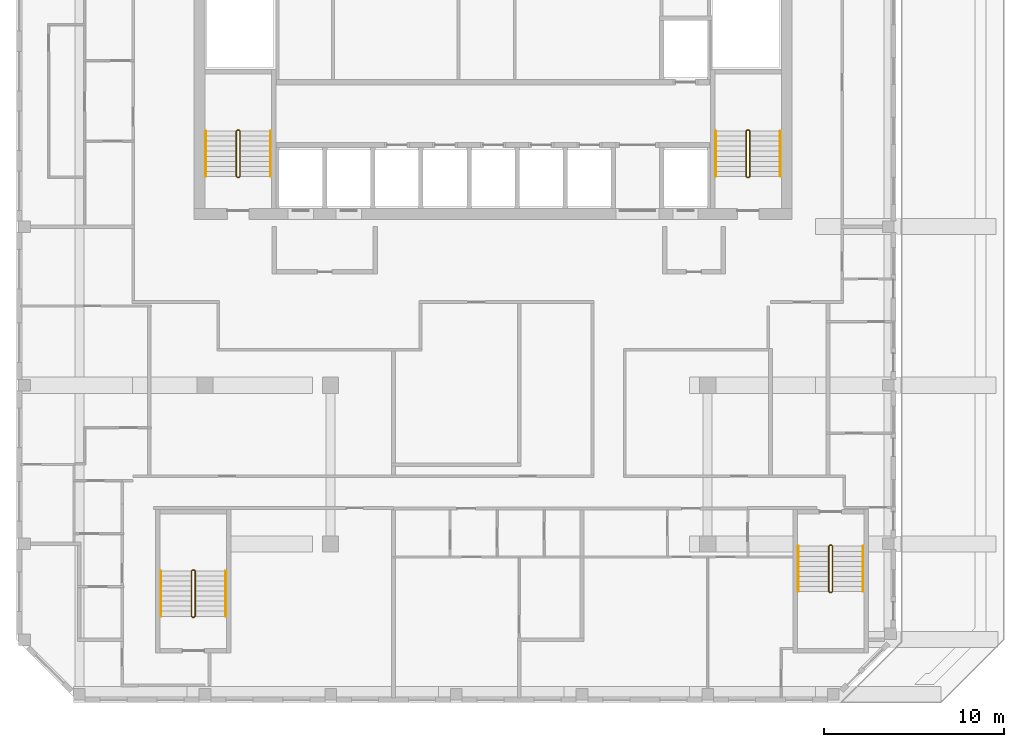
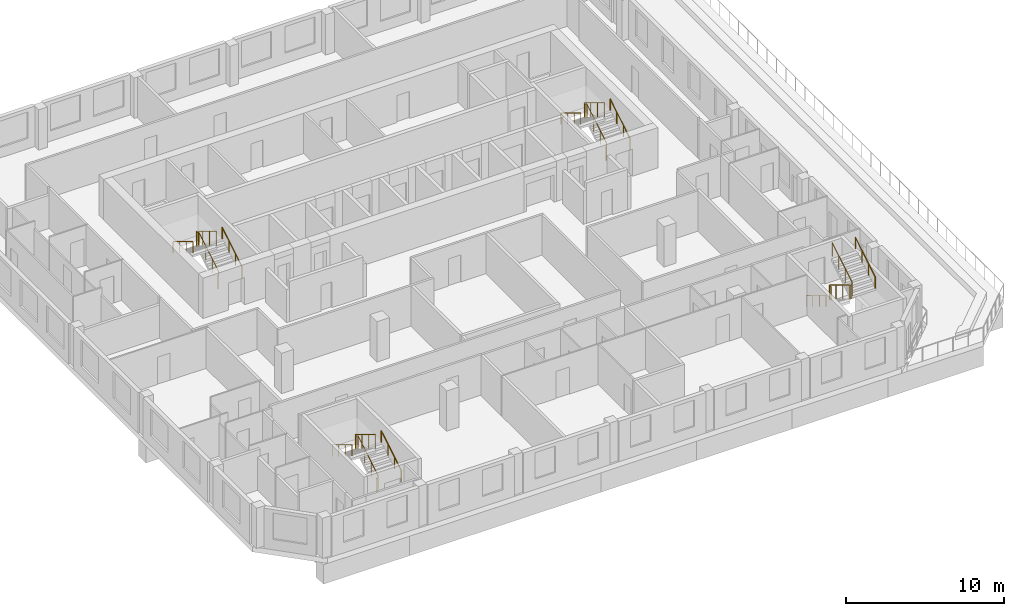
# One storey, part 12 of 13: 12 railings.
"""IFC4 building model written with IfcOpenShell, lengths in metres."""

from ifc_helpers import new_model, si_unit, direction, frame, origin, origin_2d, place, context, subcontext, project, spatial, circle, extrude, material, type_object, element, save


model = new_model("IFC4")

# Units and contexts
model_context = context("Model", 3, precision=1e-05, world=origin(), true_north=direction((0.0, 1.0)))
body_context = subcontext(model_context, "Body", "Model", "MODEL_VIEW")
ifc_project = project(units=[si_unit("LENGTHUNIT", "METRE"), si_unit("AREAUNIT", "SQUARE_METRE"), si_unit("VOLUMEUNIT", "CUBIC_METRE"), si_unit("PLANEANGLEUNIT", "RADIAN"), si_unit("MASSUNIT", "GRAM", prefix="KILO")], contexts=[model_context])

# Site, building, storey
site_placement = place(None, origin())
site = spatial("IfcSite", under=ifc_project, at=site_placement, CompositionType="ELEMENT")
building_placement = place(site_placement, origin())
building = spatial("IfcBuilding", under=site, at=building_placement, Name="Kilnfold Tower and Market Hall", CompositionType="ELEMENT")
storey_placement = place(building_placement, frame((0.0, 0.0, 267.0)))
storey = spatial("IfcBuildingStorey", under=building, at=storey_placement, Name="L65", CompositionType="ELEMENT", Elevation=267.0)

# Railings
ifc_material_1 = material(Name="Stainless steel 316", Category="steel")
railing_type_1 = type_object("IfcRailingType", Name="CORE STAIR GUARD 1100", PredefinedType="GUARDRAIL", material=ifc_material_1)
railing_1_placement = place(storey_placement, frame((-13.199951171875, 10.75, 0.0)))
element("IfcRailing", 1, at=railing_1_placement, inside=storey, type_object=railing_type_1, Name="L65 ST1 stair guard 1", PredefinedType="GUARDRAIL", context=body_context, shape_type="SweptSolid", body=[
    extrude(circle(Radius=0.02392578125, at=origin_2d()), frame((0.0, 0.0, 1.076171875), z_axis=(1.0, 0.0, 0.0), x_axis=(0.0, 1.0, 0.0)), (0.0, 0.0, 1.0), 0.099853515625),
    extrude(circle(Radius=0.02392578125, at=origin_2d()), frame((0.099853515625, 0.0, 1.076171875), z_axis=(0.271895245746, 0.271895245746, 0.923117517265), x_axis=(-0.707106781187, 0.707106781187, 0.0)), (0.0, 0.0, 1.0), 0.18408203125),
    extrude(circle(Radius=0.02392578125, at=origin_2d()), frame((0.14990234375, 0.050048828125, 1.24609375), z_axis=(0.0, 0.85478489116, 0.518982456201), x_axis=(-1.0, 0.0, 0.0)), (0.0, 0.0, 1.0), 2.9482421875),
    extrude(circle(Radius=0.02392578125, at=origin_2d()), frame((0.14990234375, 2.570068359375, 2.77587890625), z_axis=(-0.707106781187, 0.707106781187, 0.0), x_axis=(-0.707106781187, -0.707106781187, 0.0)), (0.0, 0.0, 1.0), 0.07080078125),
    extrude(circle(Radius=0.02392578125, at=origin_2d()), frame((0.099853515625, 2.6201171875, 2.77587890625), z_axis=(-1.0, 0.0, 0.0), x_axis=(0.0, -1.0, 0.0)), (0.0, 0.0, 1.0), 0.099853515625),
    extrude(circle(Radius=0.02392578125, at=origin_2d()), frame((0.0, 2.6201171875, 2.77587890625), z_axis=(-0.271562723297, -0.271562723297, 0.923313259209), x_axis=(0.707106781187, -0.707106781187, 0.0)), (0.0, 0.0, 1.0), 0.184326171875),
    extrude(circle(Radius=0.02392578125, at=origin_2d()), frame((-0.050048828125, 2.570068359375, 2.9462890625), z_axis=(0.0, -0.854821627497, 0.518921945155), x_axis=(1.0, 0.0, 0.0)), (0.0, 0.0, 1.0), 2.947998046875),
    extrude(circle(Radius=0.02099609375, at=origin_2d()), origin(), (0.0, 0.0, 1.0), 1.052001953125),
    extrude(circle(Radius=0.02099609375, at=origin_2d()), frame((0.099853515625, 0.0, 0.0)), (0.0, 0.0, 1.0), 1.052001953125),
    extrude(circle(Radius=0.02099609375, at=origin_2d()), frame((0.14990234375, 0.050048828125, 0.169921875)), (0.0, 0.0, 1.0), 1.052001953125),
    extrude(circle(Radius=0.02099609375, at=origin_2d()), frame((0.14990234375, 0.89013671875, 0.679931640625)), (0.0, 0.0, 1.0), 1.052001953125),
    extrude(circle(Radius=0.02099609375, at=origin_2d()), frame((0.14990234375, 1.72998046875, 1.18994140625)), (0.0, 0.0, 1.0), 1.052001953125),
    extrude(circle(Radius=0.02099609375, at=origin_2d()), frame((0.14990234375, 2.570068359375, 1.699951171875)), (0.0, 0.0, 1.0), 1.052001953125),
    extrude(circle(Radius=0.02099609375, at=origin_2d()), frame((0.099853515625, 2.6201171875, 1.699951171875)), (0.0, 0.0, 1.0), 1.052001953125),
    extrude(circle(Radius=0.02099609375, at=origin_2d()), frame((0.0, 2.6201171875, 1.699951171875)), (0.0, 0.0, 1.0), 1.052001953125),
    extrude(circle(Radius=0.02099609375, at=origin_2d()), frame((-0.050048828125, 2.570068359375, 1.8701171875)), (0.0, 0.0, 1.0), 1.052001953125),
    extrude(circle(Radius=0.02099609375, at=origin_2d()), frame((-0.050048828125, 1.72998046875, 2.380126953125)), (0.0, 0.0, 1.0), 1.052001953125),
    extrude(circle(Radius=0.02099609375, at=origin_2d()), frame((-0.050048828125, 0.89013671875, 2.889892578125)), (0.0, 0.0, 1.0), 1.052001953125),
    extrude(circle(Radius=0.02099609375, at=origin_2d()), frame((-0.050048828125, 0.050048828125, 3.39990234375)), (0.0, 0.0, 1.0), 1.052001953125),
])
railing_2_placement = place(storey_placement, frame((15.199951171875, 10.75, 0.0)))
element("IfcRailing", 2, at=railing_2_placement, inside=storey, type_object=railing_type_1, Name="L65 ST2 stair guard 1", PredefinedType="GUARDRAIL", context=body_context, shape_type="SweptSolid", body=[
    extrude(circle(Radius=0.02392578125, at=origin_2d()), frame((0.0, 0.0, 1.076171875), z_axis=(1.0, 0.0, 0.0), x_axis=(0.0, 1.0, 0.0)), (0.0, 0.0, 1.0), 0.10009765625),
    extrude(circle(Radius=0.02392578125, at=origin_2d()), frame((0.10009765625, 0.0, 1.076171875), z_axis=(0.271895245746, 0.271895245746, 0.923117517265), x_axis=(-0.707106781187, 0.707106781187, 0.0)), (0.0, 0.0, 1.0), 0.18408203125),
    extrude(circle(Radius=0.02392578125, at=origin_2d()), frame((0.150146484375, 0.050048828125, 1.24609375), z_axis=(0.0, 0.85478489116, 0.518982456201), x_axis=(-1.0, 0.0, 0.0)), (0.0, 0.0, 1.0), 2.9482421875),
    extrude(circle(Radius=0.02392578125, at=origin_2d()), frame((0.150146484375, 2.570068359375, 2.77587890625), z_axis=(-0.707106781187, 0.707106781187, 0.0), x_axis=(-0.707106781187, -0.707106781187, 0.0)), (0.0, 0.0, 1.0), 0.07080078125),
    extrude(circle(Radius=0.02392578125, at=origin_2d()), frame((0.10009765625, 2.6201171875, 2.77587890625), z_axis=(-1.0, 0.0, 0.0), x_axis=(0.0, -1.0, 0.0)), (0.0, 0.0, 1.0), 0.10009765625),
    extrude(circle(Radius=0.02392578125, at=origin_2d()), frame((0.0, 2.6201171875, 2.77587890625), z_axis=(-0.271562723297, -0.271562723297, 0.923313259209), x_axis=(0.707106781187, -0.707106781187, 0.0)), (0.0, 0.0, 1.0), 0.184326171875),
    extrude(circle(Radius=0.02392578125, at=origin_2d()), frame((-0.050048828125, 2.570068359375, 2.9462890625), z_axis=(0.0, -0.854821627497, 0.518921945155), x_axis=(1.0, 0.0, 0.0)), (0.0, 0.0, 1.0), 2.947998046875),
    extrude(circle(Radius=0.02099609375, at=origin_2d()), origin(), (0.0, 0.0, 1.0), 1.052001953125),
    extrude(circle(Radius=0.02099609375, at=origin_2d()), frame((0.10009765625, 0.0, 0.0)), (0.0, 0.0, 1.0), 1.052001953125),
    extrude(circle(Radius=0.02099609375, at=origin_2d()), frame((0.150146484375, 0.050048828125, 0.169921875)), (0.0, 0.0, 1.0), 1.052001953125),
    extrude(circle(Radius=0.02099609375, at=origin_2d()), frame((0.150146484375, 0.89013671875, 0.679931640625)), (0.0, 0.0, 1.0), 1.052001953125),
    extrude(circle(Radius=0.02099609375, at=origin_2d()), frame((0.150146484375, 1.72998046875, 1.18994140625)), (0.0, 0.0, 1.0), 1.052001953125),
    extrude(circle(Radius=0.02099609375, at=origin_2d()), frame((0.150146484375, 2.570068359375, 1.699951171875)), (0.0, 0.0, 1.0), 1.052001953125),
    extrude(circle(Radius=0.02099609375, at=origin_2d()), frame((0.10009765625, 2.6201171875, 1.699951171875)), (0.0, 0.0, 1.0), 1.052001953125),
    extrude(circle(Radius=0.02099609375, at=origin_2d()), frame((0.0, 2.6201171875, 1.699951171875)), (0.0, 0.0, 1.0), 1.052001953125),
    extrude(circle(Radius=0.02099609375, at=origin_2d()), frame((-0.050048828125, 2.570068359375, 1.8701171875)), (0.0, 0.0, 1.0), 1.052001953125),
    extrude(circle(Radius=0.02099609375, at=origin_2d()), frame((-0.050048828125, 1.72998046875, 2.380126953125)), (0.0, 0.0, 1.0), 1.052001953125),
    extrude(circle(Radius=0.02099609375, at=origin_2d()), frame((-0.050048828125, 0.89013671875, 2.889892578125)), (0.0, 0.0, 1.0), 1.052001953125),
    extrude(circle(Radius=0.02099609375, at=origin_2d()), frame((-0.050048828125, 0.050048828125, 3.39990234375)), (0.0, 0.0, 1.0), 1.052001953125),
])
railing_3_placement = place(storey_placement, frame((-15.699951171875, -13.75, 0.0)))
element("IfcRailing", 3, at=railing_3_placement, inside=storey, type_object=railing_type_1, Name="L65 ST3 stair guard 1", PredefinedType="GUARDRAIL", context=body_context, shape_type="SweptSolid", body=[
    extrude(circle(Radius=0.02392578125, at=origin_2d()), frame((0.0, 0.0, 1.076171875), z_axis=(1.0, 0.0, 0.0), x_axis=(0.0, 1.0, 0.0)), (0.0, 0.0, 1.0), 0.099853515625),
    extrude(circle(Radius=0.02392578125, at=origin_2d()), frame((0.099853515625, 0.0, 1.076171875), z_axis=(0.271895245746, 0.271895245746, 0.923117517265), x_axis=(-0.707106781187, 0.707106781187, 0.0)), (0.0, 0.0, 1.0), 0.18408203125),
    extrude(circle(Radius=0.02392578125, at=origin_2d()), frame((0.14990234375, 0.050048828125, 1.24609375), z_axis=(0.0, 0.85478489116, 0.518982456201), x_axis=(-1.0, 0.0, 0.0)), (0.0, 0.0, 1.0), 2.9482421875),
    extrude(circle(Radius=0.02392578125, at=origin_2d()), frame((0.14990234375, 2.570068359375, 2.77587890625), z_axis=(-0.707106781187, 0.707106781187, 0.0), x_axis=(-0.707106781187, -0.707106781187, 0.0)), (0.0, 0.0, 1.0), 0.07080078125),
    extrude(circle(Radius=0.02392578125, at=origin_2d()), frame((0.099853515625, 2.6201171875, 2.77587890625), z_axis=(-1.0, 0.0, 0.0), x_axis=(0.0, -1.0, 0.0)), (0.0, 0.0, 1.0), 0.099853515625),
    extrude(circle(Radius=0.02392578125, at=origin_2d()), frame((0.0, 2.6201171875, 2.77587890625), z_axis=(-0.271562723297, -0.271562723297, 0.923313259209), x_axis=(0.707106781187, -0.707106781187, 0.0)), (0.0, 0.0, 1.0), 0.184326171875),
    extrude(circle(Radius=0.02392578125, at=origin_2d()), frame((-0.050048828125, 2.570068359375, 2.9462890625), z_axis=(0.0, -0.854821627497, 0.518921945155), x_axis=(1.0, 0.0, 0.0)), (0.0, 0.0, 1.0), 2.947998046875),
    extrude(circle(Radius=0.02099609375, at=origin_2d()), origin(), (0.0, 0.0, 1.0), 1.052001953125),
    extrude(circle(Radius=0.02099609375, at=origin_2d()), frame((0.099853515625, 0.0, 0.0)), (0.0, 0.0, 1.0), 1.052001953125),
    extrude(circle(Radius=0.02099609375, at=origin_2d()), frame((0.14990234375, 0.050048828125, 0.169921875)), (0.0, 0.0, 1.0), 1.052001953125),
    extrude(circle(Radius=0.02099609375, at=origin_2d()), frame((0.14990234375, 0.89013671875, 0.679931640625)), (0.0, 0.0, 1.0), 1.052001953125),
    extrude(circle(Radius=0.02099609375, at=origin_2d()), frame((0.14990234375, 1.72998046875, 1.18994140625)), (0.0, 0.0, 1.0), 1.052001953125),
    extrude(circle(Radius=0.02099609375, at=origin_2d()), frame((0.14990234375, 2.570068359375, 1.699951171875)), (0.0, 0.0, 1.0), 1.052001953125),
    extrude(circle(Radius=0.02099609375, at=origin_2d()), frame((0.099853515625, 2.6201171875, 1.699951171875)), (0.0, 0.0, 1.0), 1.052001953125),
    extrude(circle(Radius=0.02099609375, at=origin_2d()), frame((0.0, 2.6201171875, 1.699951171875)), (0.0, 0.0, 1.0), 1.052001953125),
    extrude(circle(Radius=0.02099609375, at=origin_2d()), frame((-0.050048828125, 2.570068359375, 1.8701171875)), (0.0, 0.0, 1.0), 1.052001953125),
    extrude(circle(Radius=0.02099609375, at=origin_2d()), frame((-0.050048828125, 1.72998046875, 2.380126953125)), (0.0, 0.0, 1.0), 1.052001953125),
    extrude(circle(Radius=0.02099609375, at=origin_2d()), frame((-0.050048828125, 0.89013671875, 2.889892578125)), (0.0, 0.0, 1.0), 1.052001953125),
    extrude(circle(Radius=0.02099609375, at=origin_2d()), frame((-0.050048828125, 0.050048828125, 3.39990234375)), (0.0, 0.0, 1.0), 1.052001953125),
])
railing_4_placement = place(storey_placement, frame((19.89990234375, -9.75, 0.0)))
element("IfcRailing", 4, at=railing_4_placement, inside=storey, type_object=railing_type_1, Name="L65 ST4 stair guard 1", PredefinedType="GUARDRAIL", context=body_context, shape_type="SweptSolid", body=[
    extrude(circle(Radius=0.02392578125, at=origin_2d()), frame((0.0, 0.0, 1.076171875), z_axis=(-1.0, 0.0, 0.0), x_axis=(0.0, -1.0, 0.0)), (0.0, 0.0, 1.0), 0.099853515625),
    extrude(circle(Radius=0.02392578125, at=origin_2d()), frame((-0.099853515625, 0.0, 1.076171875), z_axis=(-0.271895245746, -0.271895245746, 0.923117517265), x_axis=(0.707106781187, -0.707106781187, 0.0)), (0.0, 0.0, 1.0), 0.18408203125),
    extrude(circle(Radius=0.02392578125, at=origin_2d()), frame((-0.14990234375, -0.050048828125, 1.24609375), z_axis=(0.0, -0.85478489116, 0.518982456201), x_axis=(1.0, 0.0, 0.0)), (0.0, 0.0, 1.0), 2.9482421875),
    extrude(circle(Radius=0.02392578125, at=origin_2d()), frame((-0.14990234375, -2.570068359375, 2.77587890625), z_axis=(0.707106781187, -0.707106781187, 0.0), x_axis=(0.707106781187, 0.707106781187, 0.0)), (0.0, 0.0, 1.0), 0.07080078125),
    extrude(circle(Radius=0.02392578125, at=origin_2d()), frame((-0.099853515625, -2.6201171875, 2.77587890625), z_axis=(1.0, 0.0, 0.0), x_axis=(0.0, 1.0, 0.0)), (0.0, 0.0, 1.0), 0.099853515625),
    extrude(circle(Radius=0.02392578125, at=origin_2d()), frame((0.0, -2.6201171875, 2.77587890625), z_axis=(0.271562723297, 0.271562723297, 0.923313259209), x_axis=(-0.707106781187, 0.707106781187, 0.0)), (0.0, 0.0, 1.0), 0.184326171875),
    extrude(circle(Radius=0.02392578125, at=origin_2d()), frame((0.050048828125, -2.570068359375, 2.9462890625), z_axis=(0.0, 0.854821627497, 0.518921945155), x_axis=(-1.0, 0.0, 0.0)), (0.0, 0.0, 1.0), 2.947998046875),
    extrude(circle(Radius=0.02099609375, at=origin_2d()), origin(), (0.0, 0.0, 1.0), 1.052001953125),
    extrude(circle(Radius=0.02099609375, at=origin_2d()), frame((-0.099853515625, 0.0, 0.0)), (0.0, 0.0, 1.0), 1.052001953125),
    extrude(circle(Radius=0.02099609375, at=origin_2d()), frame((-0.14990234375, -0.050048828125, 0.169921875)), (0.0, 0.0, 1.0), 1.052001953125),
    extrude(circle(Radius=0.02099609375, at=origin_2d()), frame((-0.14990234375, -0.89013671875, 0.679931640625)), (0.0, 0.0, 1.0), 1.052001953125),
    extrude(circle(Radius=0.02099609375, at=origin_2d()), frame((-0.14990234375, -1.72998046875, 1.18994140625)), (0.0, 0.0, 1.0), 1.052001953125),
    extrude(circle(Radius=0.02099609375, at=origin_2d()), frame((-0.14990234375, -2.570068359375, 1.699951171875)), (0.0, 0.0, 1.0), 1.052001953125),
    extrude(circle(Radius=0.02099609375, at=origin_2d()), frame((-0.099853515625, -2.6201171875, 1.699951171875)), (0.0, 0.0, 1.0), 1.052001953125),
    extrude(circle(Radius=0.02099609375, at=origin_2d()), frame((0.0, -2.6201171875, 1.699951171875)), (0.0, 0.0, 1.0), 1.052001953125),
    extrude(circle(Radius=0.02099609375, at=origin_2d()), frame((0.050048828125, -2.570068359375, 1.8701171875)), (0.0, 0.0, 1.0), 1.052001953125),
    extrude(circle(Radius=0.02099609375, at=origin_2d()), frame((0.050048828125, -1.72998046875, 2.380126953125)), (0.0, 0.0, 1.0), 1.052001953125),
    extrude(circle(Radius=0.02099609375, at=origin_2d()), frame((0.050048828125, -0.89013671875, 2.889892578125)), (0.0, 0.0, 1.0), 1.052001953125),
    extrude(circle(Radius=0.02099609375, at=origin_2d()), frame((0.050048828125, -0.050048828125, 3.39990234375)), (0.0, 0.0, 1.0), 1.052001953125),
])
ifc_material_2 = material(Name="Stainless steel 316", Category="steel")
railing_type_2 = type_object("IfcRailingType", Name="CORE STAIR HANDRAIL 900", PredefinedType="HANDRAIL", material=ifc_material_2)
railing_5_placement = place(storey_placement, frame((-11.35009765625, 10.800048828125, 0.169921875)))
element("IfcRailing", 5, at=railing_5_placement, inside=storey, type_object=railing_type_2, Name="L65 ST1 stair handrail 1", PredefinedType="HANDRAIL", context=body_context, shape_type="SweptSolid", body=[
    extrude(circle(Radius=0.02392578125, at=origin_2d()), frame((0.0, 0.0, 0.8759765625), z_axis=(0.0, 0.85478489116, 0.518982456201), x_axis=(-1.0, 0.0, 0.0)), (0.0, 0.0, 1.0), 2.9482421875),
    extrude(circle(Radius=0.02099609375, at=origin_2d()), origin(), (0.0, 0.0, 1.0), 0.851806640625),
    extrude(circle(Radius=0.02099609375, at=origin_2d()), frame((0.0, 0.840087890625, 0.510009765625)), (0.0, 0.0, 1.0), 0.851806640625),
    extrude(circle(Radius=0.02099609375, at=origin_2d()), frame((0.0, 1.679931640625, 1.02001953125)), (0.0, 0.0, 1.0), 0.851806640625),
    extrude(circle(Radius=0.02099609375, at=origin_2d()), frame((0.0, 2.52001953125, 1.530029296875)), (0.0, 0.0, 1.0), 0.851806640625),
])
railing_6_placement = place(storey_placement, frame((-14.949951171875, 13.320068359375, 1.8701171875)))
element("IfcRailing", 6, at=railing_6_placement, inside=storey, type_object=railing_type_2, Name="L65 ST1 stair handrail 2", PredefinedType="HANDRAIL", context=body_context, shape_type="SweptSolid", body=[
    extrude(circle(Radius=0.02392578125, at=origin_2d()), frame((0.0, 0.0, 0.8759765625), z_axis=(0.0, -0.854821627497, 0.518921945155), x_axis=(1.0, 0.0, 0.0)), (0.0, 0.0, 1.0), 2.947998046875),
    extrude(circle(Radius=0.02099609375, at=origin_2d()), origin(), (0.0, 0.0, 1.0), 0.851806640625),
    extrude(circle(Radius=0.02099609375, at=origin_2d()), frame((0.0, -0.840087890625, 0.510009765625)), (0.0, 0.0, 1.0), 0.851806640625),
    extrude(circle(Radius=0.02099609375, at=origin_2d()), frame((0.0, -1.679931640625, 1.019775390625)), (0.0, 0.0, 1.0), 0.851806640625),
    extrude(circle(Radius=0.02099609375, at=origin_2d()), frame((0.0, -2.52001953125, 1.52978515625)), (0.0, 0.0, 1.0), 0.851806640625),
])
railing_7_placement = place(storey_placement, frame((17.050048828125, 10.800048828125, 0.169921875)))
element("IfcRailing", 7, at=railing_7_placement, inside=storey, type_object=railing_type_2, Name="L65 ST2 stair handrail 1", PredefinedType="HANDRAIL", context=body_context, shape_type="SweptSolid", body=[
    extrude(circle(Radius=0.02392578125, at=origin_2d()), frame((0.0, 0.0, 0.8759765625), z_axis=(0.0, 0.85478489116, 0.518982456201), x_axis=(-1.0, 0.0, 0.0)), (0.0, 0.0, 1.0), 2.9482421875),
    extrude(circle(Radius=0.02099609375, at=origin_2d()), origin(), (0.0, 0.0, 1.0), 0.851806640625),
    extrude(circle(Radius=0.02099609375, at=origin_2d()), frame((0.0, 0.840087890625, 0.510009765625)), (0.0, 0.0, 1.0), 0.851806640625),
    extrude(circle(Radius=0.02099609375, at=origin_2d()), frame((0.0, 1.679931640625, 1.02001953125)), (0.0, 0.0, 1.0), 0.851806640625),
    extrude(circle(Radius=0.02099609375, at=origin_2d()), frame((0.0, 2.52001953125, 1.530029296875)), (0.0, 0.0, 1.0), 0.851806640625),
])
railing_8_placement = place(storey_placement, frame((13.449951171875, 13.320068359375, 1.8701171875)))
element("IfcRailing", 8, at=railing_8_placement, inside=storey, type_object=railing_type_2, Name="L65 ST2 stair handrail 2", PredefinedType="HANDRAIL", context=body_context, shape_type="SweptSolid", body=[
    extrude(circle(Radius=0.02392578125, at=origin_2d()), frame((0.0, 0.0, 0.8759765625), z_axis=(0.0, -0.854821627497, 0.518921945155), x_axis=(1.0, 0.0, 0.0)), (0.0, 0.0, 1.0), 2.947998046875),
    extrude(circle(Radius=0.02099609375, at=origin_2d()), origin(), (0.0, 0.0, 1.0), 0.851806640625),
    extrude(circle(Radius=0.02099609375, at=origin_2d()), frame((0.0, -0.840087890625, 0.510009765625)), (0.0, 0.0, 1.0), 0.851806640625),
    extrude(circle(Radius=0.02099609375, at=origin_2d()), frame((0.0, -1.679931640625, 1.019775390625)), (0.0, 0.0, 1.0), 0.851806640625),
    extrude(circle(Radius=0.02099609375, at=origin_2d()), frame((0.0, -2.52001953125, 1.52978515625)), (0.0, 0.0, 1.0), 0.851806640625),
])
railing_9_placement = place(storey_placement, frame((-13.85009765625, -13.699951171875, 0.169921875)))
element("IfcRailing", 9, at=railing_9_placement, inside=storey, type_object=railing_type_2, Name="L65 ST3 stair handrail 1", PredefinedType="HANDRAIL", context=body_context, shape_type="SweptSolid", body=[
    extrude(circle(Radius=0.02392578125, at=origin_2d()), frame((0.0, 0.0, 0.8759765625), z_axis=(0.0, 0.85478489116, 0.518982456201), x_axis=(-1.0, 0.0, 0.0)), (0.0, 0.0, 1.0), 2.9482421875),
    extrude(circle(Radius=0.02099609375, at=origin_2d()), origin(), (0.0, 0.0, 1.0), 0.851806640625),
    extrude(circle(Radius=0.02099609375, at=origin_2d()), frame((0.0, 0.840087890625, 0.510009765625)), (0.0, 0.0, 1.0), 0.851806640625),
    extrude(circle(Radius=0.02099609375, at=origin_2d()), frame((0.0, 1.679931640625, 1.02001953125)), (0.0, 0.0, 1.0), 0.851806640625),
    extrude(circle(Radius=0.02099609375, at=origin_2d()), frame((0.0, 2.52001953125, 1.530029296875)), (0.0, 0.0, 1.0), 0.851806640625),
])
railing_10_placement = place(storey_placement, frame((-17.449951171875, -11.179931640625, 1.8701171875)))
element("IfcRailing", 10, at=railing_10_placement, inside=storey, type_object=railing_type_2, Name="L65 ST3 stair handrail 2", PredefinedType="HANDRAIL", context=body_context, shape_type="SweptSolid", body=[
    extrude(circle(Radius=0.02392578125, at=origin_2d()), frame((0.0, 0.0, 0.8759765625), z_axis=(0.0, -0.854821627497, 0.518921945155), x_axis=(1.0, 0.0, 0.0)), (0.0, 0.0, 1.0), 2.947998046875),
    extrude(circle(Radius=0.02099609375, at=origin_2d()), origin(), (0.0, 0.0, 1.0), 0.851806640625),
    extrude(circle(Radius=0.02099609375, at=origin_2d()), frame((0.0, -0.840087890625, 0.510009765625)), (0.0, 0.0, 1.0), 0.851806640625),
    extrude(circle(Radius=0.02099609375, at=origin_2d()), frame((0.0, -1.679931640625, 1.019775390625)), (0.0, 0.0, 1.0), 0.851806640625),
    extrude(circle(Radius=0.02099609375, at=origin_2d()), frame((0.0, -2.52001953125, 1.52978515625)), (0.0, 0.0, 1.0), 0.851806640625),
])
railing_11_placement = place(storey_placement, frame((18.050048828125, -9.800048828125, 0.169921875)))
element("IfcRailing", 11, at=railing_11_placement, inside=storey, type_object=railing_type_2, Name="L65 ST4 stair handrail 1", PredefinedType="HANDRAIL", context=body_context, shape_type="SweptSolid", body=[
    extrude(circle(Radius=0.02392578125, at=origin_2d()), frame((0.0, 0.0, 0.8759765625), z_axis=(0.0, -0.85478489116, 0.518982456201), x_axis=(1.0, 0.0, 0.0)), (0.0, 0.0, 1.0), 2.9482421875),
    extrude(circle(Radius=0.02099609375, at=origin_2d()), origin(), (0.0, 0.0, 1.0), 0.851806640625),
    extrude(circle(Radius=0.02099609375, at=origin_2d()), frame((0.0, -0.840087890625, 0.510009765625)), (0.0, 0.0, 1.0), 0.851806640625),
    extrude(circle(Radius=0.02099609375, at=origin_2d()), frame((0.0, -1.679931640625, 1.02001953125)), (0.0, 0.0, 1.0), 0.851806640625),
    extrude(circle(Radius=0.02099609375, at=origin_2d()), frame((0.0, -2.52001953125, 1.530029296875)), (0.0, 0.0, 1.0), 0.851806640625),
])
railing_12_placement = place(storey_placement, frame((21.64990234375, -12.320068359375, 1.8701171875)))
element("IfcRailing", 12, at=railing_12_placement, inside=storey, type_object=railing_type_2, Name="L65 ST4 stair handrail 2", PredefinedType="HANDRAIL", context=body_context, shape_type="SweptSolid", body=[
    extrude(circle(Radius=0.02392578125, at=origin_2d()), frame((0.0, 0.0, 0.8759765625), z_axis=(0.0, 0.854821627497, 0.518921945155), x_axis=(-1.0, 0.0, 0.0)), (0.0, 0.0, 1.0), 2.947998046875),
    extrude(circle(Radius=0.02099609375, at=origin_2d()), origin(), (0.0, 0.0, 1.0), 0.851806640625),
    extrude(circle(Radius=0.02099609375, at=origin_2d()), frame((0.0, 0.840087890625, 0.510009765625)), (0.0, 0.0, 1.0), 0.851806640625),
    extrude(circle(Radius=0.02099609375, at=origin_2d()), frame((0.0, 1.679931640625, 1.019775390625)), (0.0, 0.0, 1.0), 0.851806640625),
    extrude(circle(Radius=0.02099609375, at=origin_2d()), frame((0.0, 2.52001953125, 1.52978515625)), (0.0, 0.0, 1.0), 0.851806640625),
])

save(model, "model.ifc")
